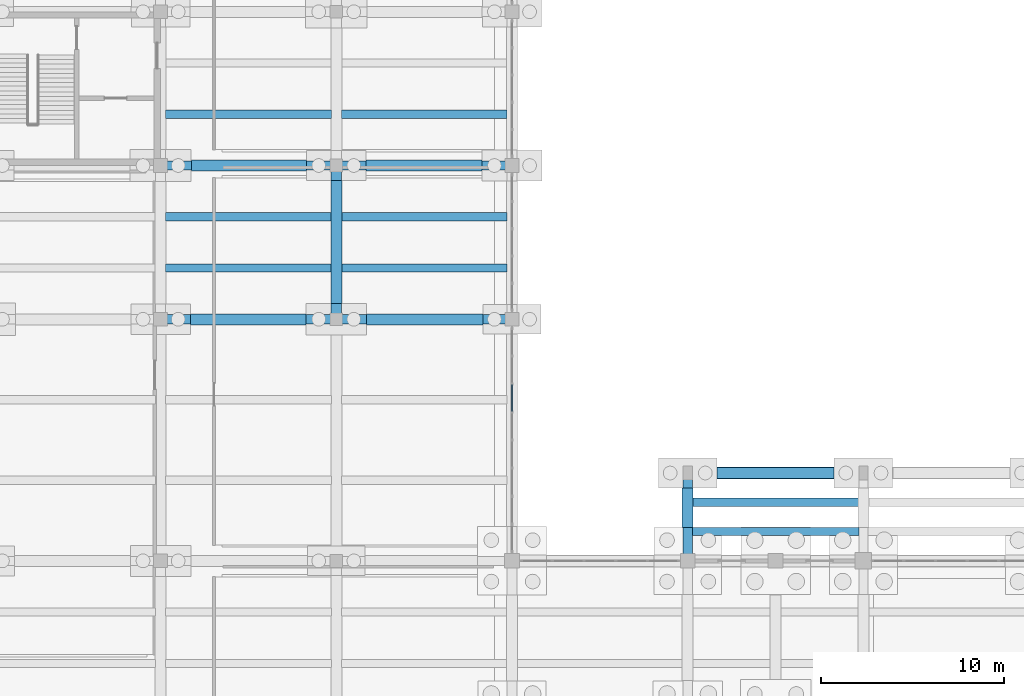
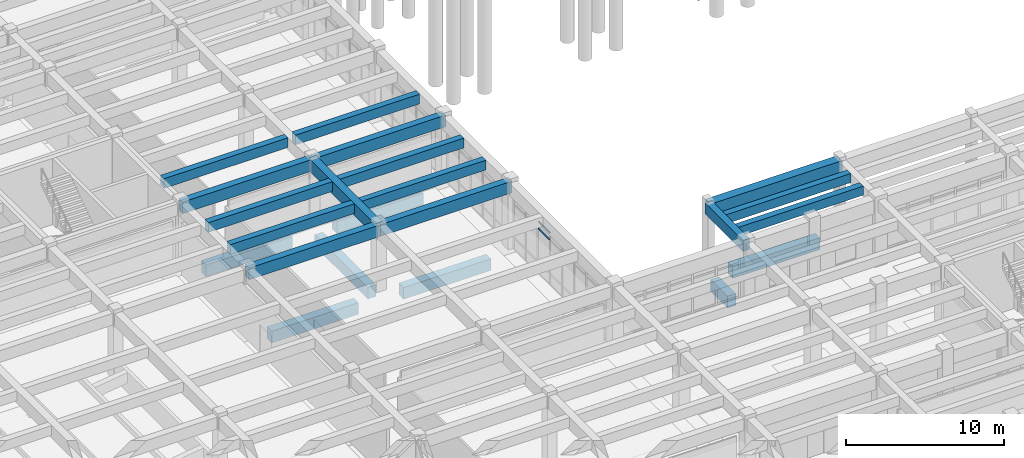
# One storey, part 20 of 102: 22 beams, 2 members, 1 element without a shape of its own.
"""IFC4 building model written with IfcOpenShell, lengths in metres."""

from ifc_helpers import new_model, si_unit, direction, frame, origin, origin_2d, place, context, subcontext, project, spatial, rectangle, extrude, material, layer, layer_set, material_profile, profile_set, type_object, element, aggregate, save


model = new_model("IFC4")

# Units and contexts
model_context = context("Model", 3, precision=1e-05, world=origin(), true_north=direction((0.0, 1.0)))
body_context = subcontext(model_context, "Body", "Model", "MODEL_VIEW")
ifc_project = project(units=[si_unit("LENGTHUNIT", "METRE"), si_unit("AREAUNIT", "SQUARE_METRE"), si_unit("VOLUMEUNIT", "CUBIC_METRE"), si_unit("PLANEANGLEUNIT", "RADIAN"), si_unit("MASSUNIT", "GRAM", prefix="KILO")], contexts=[model_context])

# Site, building, storey
site_placement = place(None, origin())
site = spatial("IfcSite", under=ifc_project, at=site_placement, CompositionType="ELEMENT")
building_placement = place(site_placement, origin())
building = spatial("IfcBuilding", under=site, at=building_placement, Name="Kolvemor Railside Polytechnic", CompositionType="ELEMENT")
storey_placement = place(building_placement, origin())
storey = spatial("IfcBuildingStorey", under=building, at=storey_placement, Name="L00", CompositionType="ELEMENT", Elevation=0.0)

# Beams
ifc_material_1 = material(Name="Concrete C40/50", Category="concrete")
ifc_material_profile_1 = material_profile(ifc_material_1, rectangle(XDim=0.550048828125, YDim=0.949951171875, at=origin_2d()), Name="RC550x950")
ifc_profile_set_1 = profile_set([ifc_material_profile_1], Name="Concrete C40/50")
beam_type_1 = type_object("IfcBeamType", Name="BM-RC-GIRD", PredefinedType="BEAM", material=ifc_profile_set_1)
beam_1_placement = place(storey_placement, frame((38.39990234375, 51.60009765625, 4.635009765625), z_axis=(0.0, 1.0, 0.0), x_axis=(-1.0, 0.0, 0.0)))
element("IfcBeam", 1, at=beam_1_placement, inside=storey, type_object=beam_type_1, Name="Primary Girder L01-GY 0092", PredefinedType="BEAM", context=body_context, shape_type="SweptSolid", body=[
    extrude(rectangle(XDim=0.550048828125, YDim=0.949951171875, at=origin_2d()), origin(), (0.0, 0.0, 1.0), 8.39990234375),
])
ifc_material_2 = material(Name="Concrete C40/50", Category="concrete")
ifc_material_profile_2 = material_profile(ifc_material_2, rectangle(XDim=0.64990234375, YDim=1.050048828125, at=origin_2d()), Name="RC650x1050")
ifc_profile_set_2 = profile_set([ifc_material_profile_2], Name="Concrete C40/50")
beam_type_2 = type_object("IfcBeamType", Name="BM-RC-GIRD2", PredefinedType="BEAM", material=ifc_profile_set_2)
beam_2_placement = place(storey_placement, frame((57.60009765625, 43.199951171875, 4.5849609375), z_axis=(1.0, 0.0, 0.0), x_axis=(0.0, 1.0, 0.0)))
element("IfcBeam", 2, at=beam_2_placement, inside=storey, type_object=beam_type_2, Name="Primary Girder L01-GX 1835", PredefinedType="BEAM", context=body_context, shape_type="SweptSolid", body=[
    extrude(rectangle(XDim=0.64990234375, YDim=1.050048828125, at=origin_2d()), origin(), (0.0, 0.0, 1.0), 9.599853515625),
])
ifc_material_3 = material(Name="Concrete C40/50", Category="concrete")
ifc_material_profile_3 = material_profile(ifc_material_3, rectangle(XDim=0.5, YDim=0.85009765625, at=origin_2d()), Name="RC500x850")
ifc_profile_set_3 = profile_set([ifc_material_profile_3], Name="Concrete C40/50")
beam_type_3 = type_object("IfcBeamType", Name="BM-RC-GIRD3", PredefinedType="BEAM", material=ifc_profile_set_3)
beam_3_placement = place(storey_placement, frame((57.60009765625, 38.39990234375, 4.68505859375), z_axis=(0.0, 1.0, 0.0), x_axis=(-1.0, 0.0, 0.0)))
element("IfcBeam", 3, at=beam_3_placement, inside=storey, type_object=beam_type_3, Name="Primary Girder L01-GY 1842", PredefinedType="BEAM", context=body_context, shape_type="SweptSolid", body=[
    extrude(rectangle(XDim=0.5, YDim=0.85009765625, at=origin_2d()), origin(), (0.0, 0.0, 1.0), 4.800048828125),
])
ifc_material_4 = material(Name="Concrete C40/50", Category="concrete")
ifc_material_profile_4 = material_profile(ifc_material_4, rectangle(XDim=0.5, YDim=0.89990234375, at=origin_2d()), Name="RC500x900")
ifc_profile_set_4 = profile_set([ifc_material_profile_4], Name="Concrete C40/50")
beam_type_4 = type_object("IfcBeamType", Name="BM-RC-GIRD4", PredefinedType="BEAM", material=ifc_profile_set_4)
beam_4_placement = place(storey_placement, frame((28.800048828125, 51.60009765625, 4.659912109375), z_axis=(1.0, 0.0, 0.0), x_axis=(0.0, 1.0, 0.0)))
element("IfcBeam", 4, at=beam_4_placement, inside=storey, type_object=beam_type_4, Name="Primary Girder L01-GX 0029", PredefinedType="BEAM", context=body_context, shape_type="SweptSolid", body=[
    extrude(rectangle(XDim=0.5, YDim=0.89990234375, at=origin_2d()), origin(), (0.0, 0.0, 1.0), 9.599853515625),
])
beam_5_placement = place(storey_placement, frame((38.39990234375, 51.60009765625, 4.659912109375), z_axis=(1.0, 0.0, 0.0), x_axis=(0.0, 1.0, 0.0)))
element("IfcBeam", 5, at=beam_5_placement, inside=storey, type_object=beam_type_4, Name="Primary Girder L01-GX 0030", PredefinedType="BEAM", context=body_context, shape_type="SweptSolid", body=[
    extrude(rectangle(XDim=0.5, YDim=0.89990234375, at=origin_2d()), origin(), (0.0, 0.0, 1.0), 9.60009765625),
])
beam_6_placement = place(storey_placement, frame((28.800048828125, 60.0, 4.659912109375), z_axis=(1.0, 0.0, 0.0), x_axis=(0.0, 1.0, 0.0)))
element("IfcBeam", 6, at=beam_6_placement, inside=storey, type_object=beam_type_4, Name="Primary Girder L01-GX 0034", PredefinedType="BEAM", context=body_context, shape_type="SweptSolid", body=[
    extrude(rectangle(XDim=0.5, YDim=0.89990234375, at=origin_2d()), origin(), (0.0, 0.0, 1.0), 9.599853515625),
])
beam_7_placement = place(storey_placement, frame((38.39990234375, 60.0, 4.659912109375), z_axis=(1.0, 0.0, 0.0), x_axis=(0.0, 1.0, 0.0)))
element("IfcBeam", 7, at=beam_7_placement, inside=storey, type_object=beam_type_4, Name="Primary Girder L01-GX 0035", PredefinedType="BEAM", context=body_context, shape_type="SweptSolid", body=[
    extrude(rectangle(XDim=0.5, YDim=0.89990234375, at=origin_2d()), origin(), (0.0, 0.0, 1.0), 9.60009765625),
])
ifc_material_5 = material(Name="Concrete C40/50", Category="concrete")
ifc_material_profile_5 = material_profile(ifc_material_5, rectangle(XDim=0.449951171875, YDim=0.75, at=origin_2d()), Name="RC450x750")
ifc_profile_set_5 = profile_set([ifc_material_profile_5], Name="Concrete C40/50")
beam_type_5 = type_object("IfcBeamType", Name="BM-RC-SEC", PredefinedType="JOIST", material=ifc_profile_set_5)
for number, where, z_axis, x_axis, name in (
    (8, (29.074951171875, 54.39990234375, 4.735107421875), (1.0, 0.0, 0.0), (0.0, 1.0, 0.0), "Floor Joist L01-J0165"),
    (9, (29.074951171875, 57.199951171875, 4.735107421875), (1.0, 0.0, 0.0), (0.0, 1.0, 0.0), "Floor Joist L01-J0166"),
    (10, (29.074951171875, 62.800048828125, 4.735107421875), (1.0, 0.0, 0.0), (0.0, 1.0, 0.0), "Floor Joist L01-J0167"),
    (11, (38.675048828125, 54.39990234375, 4.735107421875), (1.0, 0.0, 0.0), (0.0, 1.0, 0.0), "Floor Joist L01-J0183"),
    (12, (38.675048828125, 57.199951171875, 4.735107421875), (1.0, 0.0, 0.0), (0.0, 1.0, 0.0), "Floor Joist L01-J0184"),
    (13, (38.675048828125, 62.800048828125, 4.735107421875), (1.0, 0.0, 0.0), (0.0, 1.0, 0.0), "Floor Joist L01-J0185"),
):
    element("IfcBeam", number, at=place(storey_placement, frame(where, z_axis=z_axis, x_axis=x_axis)), inside=storey, type_object=beam_type_5, Name=name, PredefinedType="JOIST", context=body_context, shape_type="SweptSolid", body=[
        extrude(rectangle(XDim=0.449951171875, YDim=0.75, at=origin_2d()), origin(), (0.0, 0.0, 1.0), 9.050048828125),
    ])
ifc_material_6 = material(Name="Concrete C40/50", Category="concrete")
ifc_material_profile_6 = material_profile(ifc_material_6, rectangle(XDim=0.449951171875, YDim=0.699951171875, at=origin_2d()), Name="RC450x700")
ifc_profile_set_6 = profile_set([ifc_material_profile_6], Name="Concrete C40/50")
beam_type_6 = type_object("IfcBeamType", Name="BM-RC-SEC2", PredefinedType="JOIST", material=ifc_profile_set_6)
for number, where, z_axis, x_axis, name in (
    (14, (57.85009765625, 40.0, 4.760009765625), (1.0, 0.0, 0.0), (0.0, 1.0, 0.0), "Floor Joist L01-J1850"),
    (15, (57.85009765625, 41.60009765625, 4.760009765625), (1.0, 0.0, 0.0), (0.0, 1.0, 0.0), "Floor Joist L01-J1851"),
):
    element("IfcBeam", number, at=place(storey_placement, frame(where, z_axis=z_axis, x_axis=x_axis)), inside=storey, type_object=beam_type_6, Name=name, PredefinedType="JOIST", context=body_context, shape_type="SweptSolid", body=[
        extrude(rectangle(XDim=0.449951171875, YDim=0.699951171875, at=origin_2d()), origin(), (0.0, 0.0, 1.0), 9.099853515625),
    ])
ifc_material_7 = material(Name="Concrete C40/50", Category="concrete")
ifc_material_profile_7 = material_profile(ifc_material_7, rectangle(XDim=0.60009765625, YDim=0.89990234375, at=origin_2d()), Name="RC600x900")
ifc_profile_set_7 = profile_set([ifc_material_profile_7], Name="Concrete C40/50")
beam_type_7 = type_object("IfcBeamType", Name="BM-RC-TIE", PredefinedType="BEAM", material=ifc_profile_set_7)
beam_8_placement = place(storey_placement, frame((59.201904296875, 43.199951171875, -0.75), z_axis=(1.0, 0.0, 0.0), x_axis=(0.0, 1.0, 0.0)))
element("IfcBeam", 16, at=beam_8_placement, inside=storey, type_object=beam_type_7, Name="Ground Tie Beam GTB-X128", PredefinedType="BEAM", context=body_context, shape_type="SweptSolid", body=[
    extrude(rectangle(XDim=0.60009765625, YDim=0.89990234375, at=origin_2d()), origin(), (0.0, 0.0, 1.0), 6.39599609375),
])
beam_9_placement = place(storey_placement, frame((30.427001953125, 51.60009765625, -0.75), z_axis=(1.0, 0.0, 0.0), x_axis=(0.0, 1.0, 0.0)))
element("IfcBeam", 17, at=beam_9_placement, inside=storey, type_object=beam_type_7, Name="Ground Tie Beam GTB-X138", PredefinedType="BEAM", context=body_context, shape_type="SweptSolid", body=[
    extrude(rectangle(XDim=0.60009765625, YDim=0.89990234375, at=origin_2d()), origin(), (0.0, 0.0, 1.0), 6.321044921875),
])
beam_10_placement = place(storey_placement, frame((40.052001953125, 51.60009765625, -0.75), z_axis=(1.0, 0.0, 0.0), x_axis=(0.0, 1.0, 0.0)))
element("IfcBeam", 18, at=beam_10_placement, inside=storey, type_object=beam_type_7, Name="Ground Tie Beam GTB-X139", PredefinedType="BEAM", context=body_context, shape_type="SweptSolid", body=[
    extrude(rectangle(XDim=0.60009765625, YDim=0.89990234375, at=origin_2d()), origin(), (0.0, 0.0, 1.0), 6.37109375),
])
beam_11_placement = place(storey_placement, frame((30.47705078125, 60.0, -0.75), z_axis=(1.0, 0.0, 0.0), x_axis=(0.0, 1.0, 0.0)))
element("IfcBeam", 19, at=beam_11_placement, inside=storey, type_object=beam_type_7, Name="Ground Tie Beam GTB-X148", PredefinedType="BEAM", context=body_context, shape_type="SweptSolid", body=[
    extrude(rectangle(XDim=0.60009765625, YDim=0.89990234375, at=origin_2d()), origin(), (0.0, 0.0, 1.0), 6.2958984375),
])
beam_12_placement = place(storey_placement, frame((40.027099609375, 60.0, -0.75), z_axis=(1.0, 0.0, 0.0), x_axis=(0.0, 1.0, 0.0)))
element("IfcBeam", 20, at=beam_12_placement, inside=storey, type_object=beam_type_7, Name="Ground Tie Beam GTB-X149", PredefinedType="BEAM", context=body_context, shape_type="SweptSolid", body=[
    extrude(rectangle(XDim=0.60009765625, YDim=0.89990234375, at=origin_2d()), origin(), (0.0, 0.0, 1.0), 6.32080078125),
])
beam_13_placement = place(storey_placement, frame((38.39990234375, 52.451904296875, -0.75), z_axis=(0.0, 1.0, 0.0), x_axis=(-1.0, 0.0, 0.0)))
element("IfcBeam", 21, at=beam_13_placement, inside=storey, type_object=beam_type_7, Name="Ground Tie Beam GTB-Y280", PredefinedType="BEAM", context=body_context, shape_type="SweptSolid", body=[
    extrude(rectangle(XDim=0.60009765625, YDim=0.89990234375, at=origin_2d()), origin(), (0.0, 0.0, 1.0), 6.72119140625),
])
beam_14_placement = place(storey_placement, frame((57.60009765625, 40.22705078125, -0.75), z_axis=(0.0, 1.0, 0.0), x_axis=(-1.0, 0.0, 0.0)))
element("IfcBeam", 22, at=beam_14_placement, inside=storey, type_object=beam_type_7, Name="Ground Tie Beam GTB-Y305", PredefinedType="BEAM", context=body_context, shape_type="SweptSolid", body=[
    extrude(rectangle(XDim=0.60009765625, YDim=0.89990234375, at=origin_2d()), origin(), (0.0, 0.0, 1.0), 2.14599609375),
])

# Curtain wall, members
ifc_material_8 = material(Name="Anodised marine aluminium and laminated low-E glass", Category="aluminium")
ifc_layer = layer(ifc_material_8, 0.179931640625, Name="CW-UNIT-STD")
ifc_layer_set = layer_set([ifc_layer], Name="Anodised marine aluminium and laminated low-E glass")
curtain_wall_type = type_object("IfcCurtainWallType", Name="CW-UNIT-STD", PredefinedType="USERDEFINED", material=ifc_layer_set)
curtain_wall_placement = place(storey_placement, origin())
curtain_wall = element("IfcCurtainWall", 23, at=curtain_wall_placement, inside=storey, type_object=curtain_wall_type, Name="Curtain Wall L00-055", ObjectType="UNITISED CURTAIN WALL", PredefinedType="USERDEFINED")
ifc_material_9 = material(Name="Anodised marine aluminium 6063-T6", Category="aluminium")
ifc_material_profile_8 = material_profile(ifc_material_9, rectangle(XDim=0.06494140625, YDim=0.1201171875, at=origin_2d()), Name="CW-TRN-65x120")
ifc_profile_set_8 = profile_set([ifc_material_profile_8], Name="Anodised marine aluminium 6063-T6")
member_type = type_object("IfcMemberType", Name="CWT-65x120", PredefinedType="USERDEFINED", material=ifc_profile_set_8)
member_1_placement = place(storey_placement, frame((48.0, 46.56494140625, 3.489990234375), z_axis=(0.0, 1.0, 0.0), x_axis=(-1.0, 0.0, 0.0)))
member_1 = element("IfcMember", 24, at=member_1_placement, type_object=member_type, Name="CW-STD transom 6.3", ObjectType="TRANSOM", PredefinedType="USERDEFINED", context=body_context, shape_type="SweptSolid", body=[
    extrude(rectangle(XDim=0.06494140625, YDim=0.1201171875, at=origin_2d()), origin(), (0.0, 0.0, 1.0), 1.467529296875),
])
member_2_placement = place(storey_placement, frame((48.0, 46.56494140625, 4.007568359375), z_axis=(0.0, 1.0, 0.0), x_axis=(-1.0, 0.0, 0.0)))
member_2 = element("IfcMember", 25, at=member_2_placement, type_object=member_type, Name="CW-STD transom 6.4", ObjectType="TRANSOM", PredefinedType="USERDEFINED", context=body_context, shape_type="SweptSolid", body=[
    extrude(rectangle(XDim=0.06494140625, YDim=0.1201171875, at=origin_2d()), origin(), (0.0, 0.0, 1.0), 1.467529296875),
])
aggregate(curtain_wall, [member_1, member_2])

save(model, "model.ifc")
